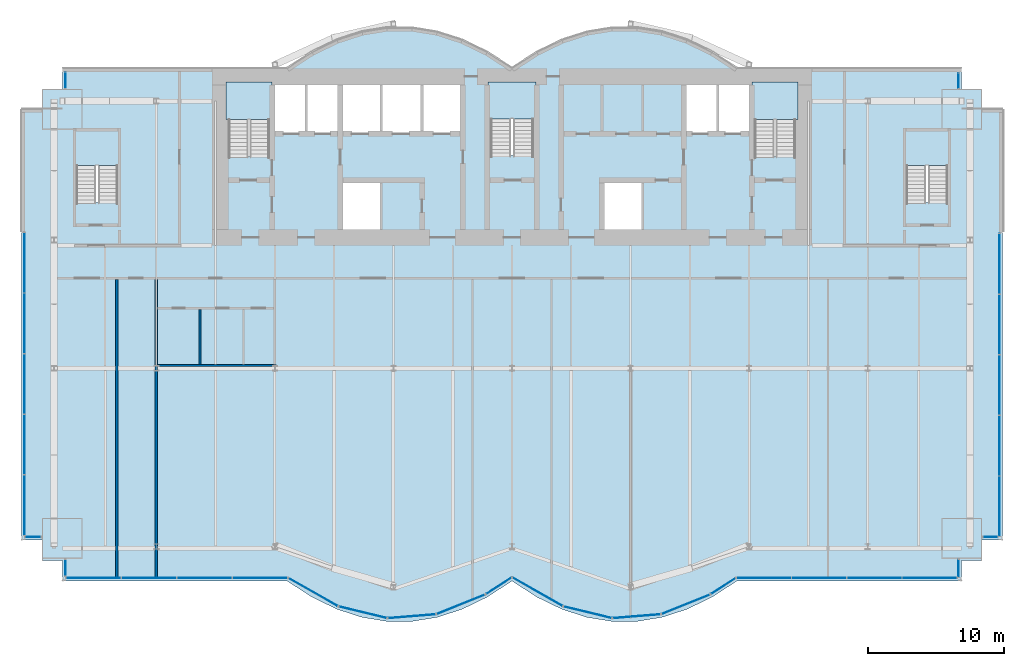
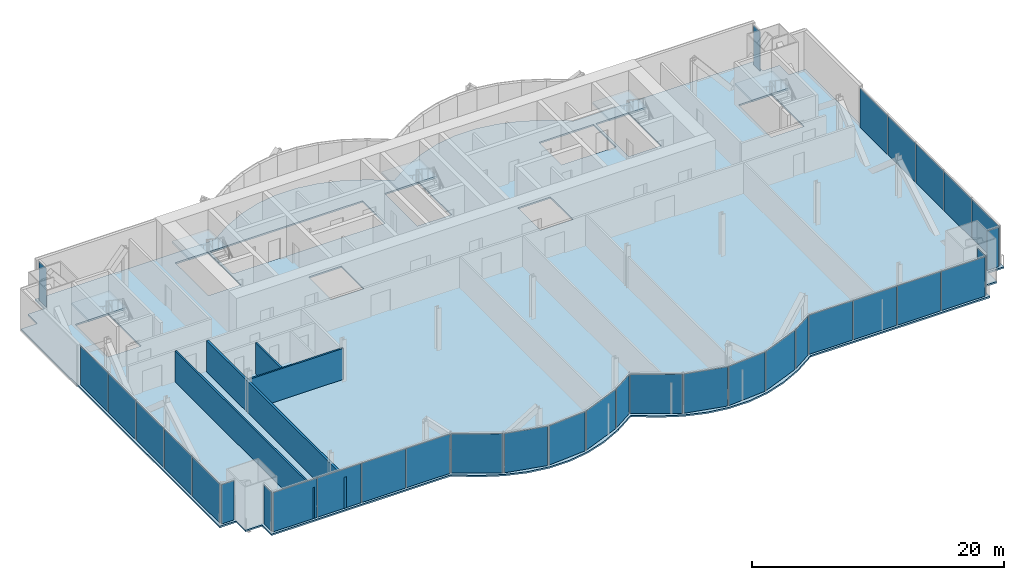
# One storey, part 14 of 21: 34 plates, 6 slabs, 4 walls, 17 elements without a shape of their own.
"""IFC4 building model written with IfcOpenShell, lengths in metres."""

from ifc_helpers import new_model, si_unit, direction, frame, frame_2d, origin, origin_2d, place, context, subcontext, project, spatial, polyline, rectangle, outline, extrude, material, layer, layer_set, type_object, element, aggregate, save


model = new_model("IFC4")

# Units and contexts
model_context = context("Model", 3, precision=1e-05, world=origin(), true_north=direction((0.0, 1.0)))
body_context = subcontext(model_context, "Body", "Model", "MODEL_VIEW")
ifc_project = project(units=[si_unit("LENGTHUNIT", "METRE"), si_unit("AREAUNIT", "SQUARE_METRE"), si_unit("VOLUMEUNIT", "CUBIC_METRE"), si_unit("PLANEANGLEUNIT", "RADIAN"), si_unit("MASSUNIT", "GRAM", prefix="KILO")], contexts=[model_context])

# Site, building, storey
site_placement = place(None, origin())
site = spatial("IfcSite", under=ifc_project, at=site_placement, CompositionType="ELEMENT")
building_placement = place(site_placement, origin())
building = spatial("IfcBuilding", under=site, at=building_placement, Name="Bicima Exchange Tower", CompositionType="ELEMENT")
storey_placement = place(building_placement, frame((0.0, 0.0, 114.5)))
storey = spatial("IfcBuildingStorey", under=building, at=storey_placement, Name="L24", CompositionType="ELEMENT", Elevation=114.5)

# Slab
ifc_material_1 = material(Name="Concrete C40/50", Category="concrete")
ifc_layer_1 = layer(ifc_material_1, 0.14990234375)
ifc_layer_set_1 = layer_set([ifc_layer_1], Name="Concrete C40/50")
slab_type_1 = type_object("IfcSlabType", Name="Composite floor slab 150", PredefinedType="FLOOR", material=ifc_layer_set_1)
slab_1_placement = place(storey_placement, frame((0.0, 0.0, -0.14990234375)))
element("IfcSlab", 1, at=slab_1_placement, inside=storey, type_object=slab_type_1, Name="Floor slab", PredefinedType="FLOOR", context=body_context, shape_type="SweptSolid", body=[
    extrude(outline(polyline([(-36.0, -34.60791015625), (-36.0, -3.0), (-34.5, -3.0), (-34.5, -1.5), (-33.0, -1.5), (-33.0, 0.0), (-16.5, 0.0), (-14.666748046875, 1.185302734375), (-12.833251953125, 2.07421875), (-11.0, 2.666748046875), (-9.166748046875, 2.962890625), (-7.333251953125, 2.962890625), (-5.5, 2.666748046875), (-3.666748046875, 2.07421875), (-1.833251953125, 1.185302734375), (0.0, 0.0), (1.833251953125, 1.185302734375), (3.666748046875, 2.07421875), (5.5, 2.666748046875), (7.333251953125, 2.962890625), (9.166748046875, 2.962890625), (11.0, 2.666748046875), (12.833251953125, 2.07421875), (14.666748046875, 1.185302734375), (16.5, 0.0), (33.0, 0.0), (33.0, -1.5), (34.5, -1.5), (34.5, -3.0), (36.0, -3.0), (36.0, -34.60791015625), (34.5, -34.60791015625), (34.5, -36.10791015625), (33.0, -36.10791015625), (33.0, -37.60791015625), (16.5, -37.60791015625), (14.666748046875, -38.793212890625), (12.833251953125, -39.68212890625), (11.0, -40.274658203125), (9.166748046875, -40.571044921875), (7.333251953125, -40.571044921875), (5.5, -40.274658203125), (3.666748046875, -39.68212890625), (1.833251953125, -38.793212890625), (0.0, -37.60791015625), (-1.833251953125, -38.793212890625), (-3.666748046875, -39.68212890625), (-5.5, -40.274658203125), (-7.333251953125, -40.571044921875), (-9.166748046875, -40.571044921875), (-11.0, -40.274658203125), (-12.833251953125, -39.68212890625), (-14.666748046875, -38.793212890625), (-16.5, -37.60791015625), (-33.0, -37.60791015625), (-33.0, -36.10791015625), (-34.5, -36.10791015625), (-34.5, -34.60791015625), (-36.0, -34.60791015625)]), holes=[polyline([(-9.60009765625, -11.800048828125), (-9.60009765625, -8.199951171875), (-12.60009765625, -8.199951171875), (-12.60009765625, -11.800048828125), (-9.60009765625, -11.800048828125)]), polyline([(-31.97509765625, -9.824951171875), (-28.925048828125, -9.824951171875), (-28.925048828125, -4.625), (-31.97509765625, -4.625), (-31.97509765625, -9.824951171875)]), polyline([(-20.800048828125, -6.449951171875), (-17.800048828125, -6.449951171875), (-17.800048828125, -1.199951171875), (-20.800048828125, -1.199951171875), (-20.800048828125, -6.449951171875)]), polyline([(-9.60009765625, -1.199951171875), (-12.60009765625, -1.199951171875), (-15.10009765625, -1.199951171875), (-17.60009765625, -1.199951171875), (-17.60009765625, -4.800048828125), (-15.10009765625, -4.800048828125), (-12.60009765625, -4.800048828125), (-9.60009765625, -4.800048828125), (-6.60009765625, -4.800048828125), (-3.60009765625, -4.800048828125), (-3.60009765625, -1.199951171875), (-6.60009765625, -1.199951171875), (-9.60009765625, -1.199951171875)]), polyline([(9.60009765625, -11.800048828125), (9.60009765625, -8.199951171875), (6.60009765625, -8.199951171875), (6.60009765625, -11.800048828125), (9.60009765625, -11.800048828125)]), polyline([(28.925048828125, -9.824951171875), (31.97509765625, -9.824951171875), (31.97509765625, -4.625), (28.925048828125, -4.625), (28.925048828125, -9.824951171875)]), polyline([(17.800048828125, -6.449951171875), (20.800048828125, -6.449951171875), (20.800048828125, -1.199951171875), (17.800048828125, -1.199951171875), (17.800048828125, -6.449951171875)]), polyline([(-1.574951171875, -6.39990234375), (1.574951171875, -6.39990234375), (1.574951171875, -1.199951171875), (-1.574951171875, -1.199951171875), (-1.574951171875, -6.39990234375)]), polyline([(17.60009765625, -4.800048828125), (17.60009765625, -1.199951171875), (15.10009765625, -1.199951171875), (12.60009765625, -1.199951171875), (12.60009765625, -4.800048828125), (15.10009765625, -4.800048828125), (17.60009765625, -4.800048828125)])]), origin(), (0.0, 0.0, 1.0), 0.14990234375),
])

# Curtain wall, plates
ifc_material_2 = material(Name="Anodised bronze aluminium", Category="aluminium")
curtain_wall_type_1 = type_object("IfcCurtainWallType", Name="End face glass wall", PredefinedType="NOTDEFINED", material=ifc_material_2)
curtain_wall_1_placement = place(storey_placement, origin())
curtain_wall_1 = element("IfcCurtainWall", 2, at=curtain_wall_1_placement, inside=storey, type_object=curtain_wall_type_1, Name="End face glass wall L24 run 2", PredefinedType="NOTDEFINED")
ifc_material_3 = material(Name="Bronze tinted glass", Category="glass")
ifc_layer_2 = layer(ifc_material_3, 0.031982421875)
ifc_layer_set_2 = layer_set([ifc_layer_2], Name="Bronze tinted glass")
plate_type_1 = type_object("IfcPlateType", Name="End face glass wall glass panel 32", PredefinedType="CURTAIN_PANEL", material=ifc_layer_set_2)
plate_1_placement = place(storey_placement, frame((-35.77001953125, -14.25390625, 0.0), z_axis=(0.0, 0.0, 1.0), x_axis=(0.0, -1.0, 0.0)))
plate_1 = element("IfcPlate", 3, at=plate_1_placement, type_object=plate_type_1, Name="End face glass wall panel 1.1", PredefinedType="CURTAIN_PANEL", context=body_context, shape_type="SweptSolid", body=[
    extrude(rectangle(XDim=4.3876953125, YDim=0.031982421875, at=origin_2d()), origin(), (0.0, 0.0, 1.0), 3.81005859375),
])
plate_2_placement = place(storey_placement, frame((-35.77001953125, -27.5966796875, 0.0), z_axis=(0.0, 0.0, 1.0), x_axis=(0.0, -1.0, 0.0)))
plate_2 = element("IfcPlate", 4, at=plate_2_placement, type_object=plate_type_1, Name="End face glass wall panel 4.1", PredefinedType="CURTAIN_PANEL", context=body_context, shape_type="SweptSolid", body=[
    extrude(rectangle(XDim=4.3876953125, YDim=0.031982421875, at=origin_2d()), origin(), (0.0, 0.0, 1.0), 3.81005859375),
])
plate_3_placement = place(storey_placement, frame((-35.77001953125, -32.044189453125, 0.0), z_axis=(0.0, 0.0, 1.0), x_axis=(0.0, -1.0, 0.0)))
plate_3 = element("IfcPlate", 5, at=plate_3_placement, type_object=plate_type_1, Name="End face glass wall panel 5.1", PredefinedType="CURTAIN_PANEL", context=body_context, shape_type="SweptSolid", body=[
    extrude(rectangle(XDim=4.3876953125, YDim=0.031982421875, at=origin_2d()), origin(), (0.0, 0.0, 1.0), 3.81005859375),
])

curtain_wall_2_placement = place(storey_placement, origin())
curtain_wall_2 = element("IfcCurtainWall", 6, at=curtain_wall_2_placement, inside=storey, type_object=curtain_wall_type_1, Name="End face glass wall L24 run 19", PredefinedType="NOTDEFINED")
plate_4_placement = place(storey_placement, frame((35.77001953125, -32.124267578125, 0.0), z_axis=(0.0, 0.0, 1.0), x_axis=(0.0, 1.0, 0.0)))
plate_4 = element("IfcPlate", 7, at=plate_4_placement, type_object=plate_type_1, Name="End face glass wall panel 1.1", PredefinedType="CURTAIN_PANEL", context=body_context, shape_type="SweptSolid", body=[
    extrude(rectangle(XDim=4.3876953125, YDim=0.031982421875, at=origin_2d()), origin(), (0.0, 0.0, 1.0), 3.81005859375),
])
plate_5_placement = place(storey_placement, frame((35.77001953125, -27.676513671875, 0.0), z_axis=(0.0, 0.0, 1.0), x_axis=(0.0, 1.0, 0.0)))
plate_5 = element("IfcPlate", 8, at=plate_5_placement, type_object=plate_type_1, Name="End face glass wall panel 2.1", PredefinedType="CURTAIN_PANEL", context=body_context, shape_type="SweptSolid", body=[
    extrude(rectangle(XDim=4.3876953125, YDim=0.031982421875, at=origin_2d()), origin(), (0.0, 0.0, 1.0), 3.81005859375),
])

# Plate
ifc_material_4 = material(Name="Bronze anodised aluminium", Category="aluminium")
ifc_layer_3 = layer(ifc_material_4, 0.031982421875)
ifc_layer_set_3 = layer_set([ifc_layer_3], Name="Bronze anodised aluminium")
plate_type_2 = type_object("IfcPlateType", Name="End face glass wall spandrel panel 32", PredefinedType="CURTAIN_PANEL", material=ifc_layer_set_3)
plate_6_placement = place(storey_placement, frame((-35.77001953125, -18.701416015625, 0.0), z_axis=(0.0, 0.0, 1.0), x_axis=(0.0, -1.0, 0.0)))
plate_6 = element("IfcPlate", 9, at=plate_6_placement, type_object=plate_type_2, Name="End face spandrel wall panel 2.1", PredefinedType="CURTAIN_PANEL", context=body_context, shape_type="SweptSolid", body=[
    extrude(rectangle(XDim=4.3876953125, YDim=0.031982421875, at=origin_2d()), origin(), (0.0, 0.0, 1.0), 3.81005859375),
])

plate_7_placement = place(storey_placement, frame((-35.77001953125, -23.14892578125, 0.0), z_axis=(0.0, 0.0, 1.0), x_axis=(0.0, -1.0, 0.0)))
plate_7 = element("IfcPlate", 10, at=plate_7_placement, type_object=plate_type_2, Name="End face spandrel wall panel 3.1", PredefinedType="CURTAIN_PANEL", context=body_context, shape_type="SweptSolid", body=[
    extrude(rectangle(XDim=4.3876953125, YDim=0.031982421875, at=origin_2d()), origin(), (0.0, 0.0, 1.0), 3.81005859375),
])

aggregate(curtain_wall_1, [plate_1, plate_6, plate_7, plate_2, plate_3])

plate_8_placement = place(storey_placement, frame((35.77001953125, -23.22900390625, 0.0), z_axis=(0.0, 0.0, 1.0), x_axis=(0.0, 1.0, 0.0)))
plate_8 = element("IfcPlate", 11, at=plate_8_placement, type_object=plate_type_2, Name="End face spandrel wall panel 3.1", PredefinedType="CURTAIN_PANEL", context=body_context, shape_type="SweptSolid", body=[
    extrude(rectangle(XDim=4.3876953125, YDim=0.031982421875, at=origin_2d()), origin(), (0.0, 0.0, 1.0), 3.81005859375),
])

plate_9_placement = place(storey_placement, frame((35.77001953125, -18.781494140625, 0.0), z_axis=(0.0, 0.0, 1.0), x_axis=(0.0, 1.0, 0.0)))
plate_9 = element("IfcPlate", 12, at=plate_9_placement, type_object=plate_type_2, Name="End face spandrel wall panel 4.1", PredefinedType="CURTAIN_PANEL", context=body_context, shape_type="SweptSolid", body=[
    extrude(rectangle(XDim=4.3876953125, YDim=0.031982421875, at=origin_2d()), origin(), (0.0, 0.0, 1.0), 3.81005859375),
])

plate_10_placement = place(storey_placement, frame((35.77001953125, -14.333740234375, 0.0), z_axis=(0.0, 0.0, 1.0), x_axis=(0.0, 1.0, 0.0)))
plate_10 = element("IfcPlate", 13, at=plate_10_placement, type_object=plate_type_2, Name="End face spandrel wall panel 5.1", PredefinedType="CURTAIN_PANEL", context=body_context, shape_type="SweptSolid", body=[
    extrude(rectangle(XDim=4.3876953125, YDim=0.031982421875, at=origin_2d()), origin(), (0.0, 0.0, 1.0), 3.81005859375),
])

aggregate(curtain_wall_2, [plate_4, plate_5, plate_8, plate_9, plate_10])

# Curtain wall, plate
curtain_wall_type_2 = type_object("IfcCurtainWallType", Name="Front glass wall", PredefinedType="NOTDEFINED", material=ifc_material_2)
curtain_wall_3_placement = place(storey_placement, origin())
curtain_wall_3 = element("IfcCurtainWall", 14, at=curtain_wall_3_placement, inside=storey, type_object=curtain_wall_type_2, Name="Front glass wall L24 run 1", PredefinedType="NOTDEFINED")
ifc_layer_4 = layer(ifc_material_3, 0.031982421875)
ifc_layer_set_4 = layer_set([ifc_layer_4], Name="Bronze tinted glass")
plate_type_3 = type_object("IfcPlateType", Name="Front glass wall glass panel 32", PredefinedType="CURTAIN_PANEL", material=ifc_layer_set_4)
plate_11_placement = place(storey_placement, frame((-32.77001953125, -0.864990234375, 0.0), z_axis=(0.0, 0.0, 1.0), x_axis=(0.0, -1.0, 0.0)))
plate_11 = element("IfcPlate", 15, at=plate_11_placement, type_object=plate_type_3, Name="Front glass wall panel 1.1", PredefinedType="CURTAIN_PANEL", context=body_context, shape_type="SweptSolid", body=[
    extrude(rectangle(XDim=1.14990234375, YDim=0.031982421875, at=origin_2d()), origin(), (0.0, 0.0, 1.0), 3.81005859375),
])
aggregate(curtain_wall_3, [plate_11])

curtain_wall_4_placement = place(storey_placement, origin())
curtain_wall_4 = element("IfcCurtainWall", 16, at=curtain_wall_4_placement, inside=storey, type_object=curtain_wall_type_2, Name="Front glass wall L24 run 3", PredefinedType="NOTDEFINED")
plate_12_placement = place(storey_placement, frame((-35.135009765625, -34.3779296875, 0.0), z_axis=(0.0, 0.0, 1.0), x_axis=(1.0, 0.0, 0.0)))
plate_12 = element("IfcPlate", 17, at=plate_12_placement, type_object=plate_type_3, Name="Front glass wall panel 1.1", PredefinedType="CURTAIN_PANEL", context=body_context, shape_type="SweptSolid", body=[
    extrude(rectangle(XDim=1.14990234375, YDim=0.031982421875, at=origin_2d()), origin(), (0.0, 0.0, 1.0), 3.81005859375),
])
aggregate(curtain_wall_4, [plate_12])

curtain_wall_5_placement = place(storey_placement, origin())
curtain_wall_5 = element("IfcCurtainWall", 18, at=curtain_wall_5_placement, inside=storey, type_object=curtain_wall_type_2, Name="Front glass wall L24 run 4", PredefinedType="NOTDEFINED")
plate_13_placement = place(storey_placement, frame((-32.77001953125, -36.64208984375, 0.0), z_axis=(0.0, 0.0, 1.0), x_axis=(0.0, -1.0, 0.0)))
plate_13 = element("IfcPlate", 19, at=plate_13_placement, type_object=plate_type_3, Name="Front glass wall panel 1.1", PredefinedType="CURTAIN_PANEL", context=body_context, shape_type="SweptSolid", body=[
    extrude(rectangle(XDim=1.19189453125, YDim=0.031982421875, at=origin_2d()), origin(), (0.0, 0.0, 1.0), 3.81005859375),
])
aggregate(curtain_wall_5, [plate_13])

# Curtain wall, plates
curtain_wall_6_placement = place(storey_placement, origin())
curtain_wall_6 = element("IfcCurtainWall", 20, at=curtain_wall_6_placement, inside=storey, type_object=curtain_wall_type_2, Name="Front glass wall L24 run 5", PredefinedType="NOTDEFINED")
plate_14_placement = place(storey_placement, frame((-30.705322265625, -37.3779296875, 0.0), z_axis=(0.0, 0.0, 1.0), x_axis=(1.0, 0.0, 0.0)))
plate_14 = element("IfcPlate", 21, at=plate_14_placement, type_object=plate_type_3, Name="Front glass wall panel 1.1", PredefinedType="CURTAIN_PANEL", context=body_context, shape_type="SweptSolid", body=[
    extrude(rectangle(XDim=4.009521484375, YDim=0.031982421875, at=origin_2d()), origin(), (0.0, 0.0, 1.0), 3.81005859375),
])
plate_15_placement = place(storey_placement, frame((-26.6357421875, -37.3779296875, 0.0), z_axis=(0.0, 0.0, 1.0), x_axis=(1.0, 0.0, 0.0)))
plate_15 = element("IfcPlate", 22, at=plate_15_placement, type_object=plate_type_3, Name="Front glass wall panel 2.1", PredefinedType="CURTAIN_PANEL", context=body_context, shape_type="SweptSolid", body=[
    extrude(rectangle(XDim=4.009521484375, YDim=0.031982421875, at=origin_2d()), origin(), (0.0, 0.0, 1.0), 3.81005859375),
])
plate_16_placement = place(storey_placement, frame((-22.56640625, -37.3779296875, 0.0), z_axis=(0.0, 0.0, 1.0), x_axis=(1.0, 0.0, 0.0)))
plate_16 = element("IfcPlate", 23, at=plate_16_placement, type_object=plate_type_3, Name="Front glass wall panel 3.1", PredefinedType="CURTAIN_PANEL", context=body_context, shape_type="SweptSolid", body=[
    extrude(rectangle(XDim=4.009521484375, YDim=0.031982421875, at=origin_2d()), origin(), (0.0, 0.0, 1.0), 3.81005859375),
])

curtain_wall_7_placement = place(storey_placement, origin())
curtain_wall_7 = element("IfcCurtainWall", 24, at=curtain_wall_7_placement, inside=storey, type_object=curtain_wall_type_2, Name="Front glass wall L24 run 6", PredefinedType="NOTDEFINED")
plate_17_placement = place(storey_placement, frame((-10.94775390625, -39.904541015625, 0.0), z_axis=(0.0, 0.0, 1.0), x_axis=(0.971830343553, -0.235681529503, 0.0)))
plate_17 = element("IfcPlate", 25, at=plate_17_placement, type_object=plate_type_3, Name="Front glass wall panel 1.1", PredefinedType="CURTAIN_PANEL", context=body_context, shape_type="SweptSolid", body=[
    extrude(rectangle(XDim=3.583251953125, YDim=0.031982421875, at=origin_2d()), origin(), (0.0, 0.0, 1.0), 3.81005859375),
])
plate_18_placement = place(storey_placement, frame((-7.35107421875, -40.19580078125, 0.0), z_axis=(0.0, 0.0, 1.0), x_axis=(0.99674744821, 0.080588612633, 0.0)))
plate_18 = element("IfcPlate", 26, at=plate_18_placement, type_object=plate_type_3, Name="Front glass wall panel 1.1", PredefinedType="CURTAIN_PANEL", context=body_context, shape_type="SweptSolid", body=[
    extrude(rectangle(XDim=3.486083984375, YDim=0.031982421875, at=origin_2d()), origin(), (0.0, 0.0, 1.0), 3.81005859375),
])
plate_19_placement = place(storey_placement, frame((-3.750244140625, -39.3212890625, 0.0), z_axis=(0.0, 0.0, 1.0), x_axis=(0.92714396679, 0.374705304, 0.0)))
plate_19 = element("IfcPlate", 27, at=plate_19_placement, type_object=plate_type_3, Name="Front glass wall panel 1.1", PredefinedType="CURTAIN_PANEL", context=body_context, shape_type="SweptSolid", body=[
    extrude(rectangle(XDim=3.771240234375, YDim=0.031982421875, at=origin_2d()), origin(), (0.0, 0.0, 1.0), 3.81005859375),
])
plate_20_placement = place(storey_placement, frame((-0.97314453125, -37.963134765625, 0.0), z_axis=(0.0, 0.0, 1.0), x_axis=(0.839798994301, 0.542897457326, 0.0)))
plate_20 = element("IfcPlate", 28, at=plate_20_placement, type_object=plate_type_3, Name="Front glass wall panel 1.1", PredefinedType="CURTAIN_PANEL", context=body_context, shape_type="SweptSolid", body=[
    extrude(rectangle(XDim=2.197509765625, YDim=0.031982421875, at=origin_2d()), origin(), (0.0, 0.0, 1.0), 3.81005859375),
])

curtain_wall_8_placement = place(storey_placement, origin())
curtain_wall_8 = element("IfcCurtainWall", 29, at=curtain_wall_8_placement, inside=storey, type_object=curtain_wall_type_2, Name="Front glass wall L24 run 11", PredefinedType="NOTDEFINED")
plate_21_placement = place(storey_placement, frame((1.876220703125, -38.401123046875, 0.0), z_axis=(0.0, 0.0, 1.0), x_axis=(0.869274147378, -0.494330311331, 0.0)))
plate_21 = element("IfcPlate", 30, at=plate_21_placement, type_object=plate_type_3, Name="Front glass wall panel 1.1", PredefinedType="CURTAIN_PANEL", context=body_context, shape_type="SweptSolid", body=[
    extrude(rectangle(XDim=4.197021484375, YDim=0.031982421875, at=origin_2d()), origin(), (0.0, 0.0, 1.0), 3.81005859375),
])
plate_22_placement = place(storey_placement, frame((5.55224609375, -39.904541015625, 0.0), z_axis=(0.0, 0.0, 1.0), x_axis=(0.971830343553, -0.235681529503, 0.0)))
plate_22 = element("IfcPlate", 31, at=plate_22_placement, type_object=plate_type_3, Name="Front glass wall panel 1.1", PredefinedType="CURTAIN_PANEL", context=body_context, shape_type="SweptSolid", body=[
    extrude(rectangle(XDim=3.583251953125, YDim=0.031982421875, at=origin_2d()), origin(), (0.0, 0.0, 1.0), 3.81005859375),
])
plate_23_placement = place(storey_placement, frame((9.14892578125, -40.19580078125, 0.0), z_axis=(0.0, 0.0, 1.0), x_axis=(0.99674744821, 0.080588612633, 0.0)))
plate_23 = element("IfcPlate", 32, at=plate_23_placement, type_object=plate_type_3, Name="Front glass wall panel 1.1", PredefinedType="CURTAIN_PANEL", context=body_context, shape_type="SweptSolid", body=[
    extrude(rectangle(XDim=3.486083984375, YDim=0.031982421875, at=origin_2d()), origin(), (0.0, 0.0, 1.0), 3.81005859375),
])
plate_24_placement = place(storey_placement, frame((15.492919921875, -37.985107421875, 0.0), z_axis=(0.0, 0.0, 1.0), x_axis=(0.839791413941, 0.542909183079, 0.0)))
plate_24 = element("IfcPlate", 33, at=plate_24_placement, type_object=plate_type_3, Name="Front glass wall panel 1.1", PredefinedType="CURTAIN_PANEL", context=body_context, shape_type="SweptSolid", body=[
    extrude(rectangle(XDim=2.11669921875, YDim=0.031982421875, at=origin_2d()), origin(), (0.0, 0.0, 1.0), 3.81005859375),
])

curtain_wall_9_placement = place(storey_placement, origin())
curtain_wall_9 = element("IfcCurtainWall", 34, at=curtain_wall_9_placement, inside=storey, type_object=curtain_wall_type_2, Name="Front glass wall L24 run 16", PredefinedType="NOTDEFINED")
plate_25_placement = place(storey_placement, frame((22.536376953125, -37.3779296875, 0.0), z_axis=(0.0, 0.0, 1.0), x_axis=(1.0, 0.0, 0.0)))
plate_25 = element("IfcPlate", 35, at=plate_25_placement, type_object=plate_type_3, Name="Front glass wall panel 2.1", PredefinedType="CURTAIN_PANEL", context=body_context, shape_type="SweptSolid", body=[
    extrude(rectangle(XDim=3.989501953125, YDim=0.031982421875, at=origin_2d()), origin(), (0.0, 0.0, 1.0), 3.81005859375),
])
plate_26_placement = place(storey_placement, frame((26.585693359375, -37.3779296875, 0.0), z_axis=(0.0, 0.0, 1.0), x_axis=(1.0, 0.0, 0.0)))
plate_26 = element("IfcPlate", 36, at=plate_26_placement, type_object=plate_type_3, Name="Front glass wall panel 3.1", PredefinedType="CURTAIN_PANEL", context=body_context, shape_type="SweptSolid", body=[
    extrude(rectangle(XDim=3.989501953125, YDim=0.031982421875, at=origin_2d()), origin(), (0.0, 0.0, 1.0), 3.81005859375),
])
plate_27_placement = place(storey_placement, frame((30.63525390625, -37.3779296875, 0.0), z_axis=(0.0, 0.0, 1.0), x_axis=(1.0, 0.0, 0.0)))
plate_27 = element("IfcPlate", 37, at=plate_27_placement, type_object=plate_type_3, Name="Front glass wall panel 4.1", PredefinedType="CURTAIN_PANEL", context=body_context, shape_type="SweptSolid", body=[
    extrude(rectangle(XDim=3.989501953125, YDim=0.031982421875, at=origin_2d()), origin(), (0.0, 0.0, 1.0), 3.81005859375),
])

# Curtain wall, plate
curtain_wall_10_placement = place(storey_placement, origin())
curtain_wall_10 = element("IfcCurtainWall", 38, at=curtain_wall_10_placement, inside=storey, type_object=curtain_wall_type_2, Name="Front glass wall L24 run 17", PredefinedType="NOTDEFINED")
plate_28_placement = place(storey_placement, frame((32.77001953125, -36.681884765625, 0.0), z_axis=(0.0, 0.0, 1.0), x_axis=(0.0, 1.0, 0.0)))
plate_28 = element("IfcPlate", 39, at=plate_28_placement, type_object=plate_type_3, Name="Front glass wall panel 1.1", PredefinedType="CURTAIN_PANEL", context=body_context, shape_type="SweptSolid", body=[
    extrude(rectangle(XDim=1.27197265625, YDim=0.031982421875, at=origin_2d()), origin(), (0.0, 0.0, 1.0), 3.81005859375),
])
aggregate(curtain_wall_10, [plate_28])

curtain_wall_11_placement = place(storey_placement, origin())
curtain_wall_11 = element("IfcCurtainWall", 40, at=curtain_wall_11_placement, inside=storey, type_object=curtain_wall_type_2, Name="Front glass wall L24 run 18", PredefinedType="NOTDEFINED")
plate_29_placement = place(storey_placement, frame((35.094970703125, -34.3779296875, 0.0), z_axis=(0.0, 0.0, 1.0), x_axis=(1.0, 0.0, 0.0)))
plate_29 = element("IfcPlate", 41, at=plate_29_placement, type_object=plate_type_3, Name="Front glass wall panel 1.1", PredefinedType="CURTAIN_PANEL", context=body_context, shape_type="SweptSolid", body=[
    extrude(rectangle(XDim=1.070068359375, YDim=0.031982421875, at=origin_2d()), origin(), (0.0, 0.0, 1.0), 3.81005859375),
])
aggregate(curtain_wall_11, [plate_29])

curtain_wall_12_placement = place(storey_placement, origin())
curtain_wall_12 = element("IfcCurtainWall", 42, at=curtain_wall_12_placement, inside=storey, type_object=curtain_wall_type_2, Name="Front glass wall L24 run 20", PredefinedType="NOTDEFINED")
plate_30_placement = place(storey_placement, frame((32.77001953125, -0.905029296875, 0.0), z_axis=(0.0, 0.0, 1.0), x_axis=(0.0, 1.0, 0.0)))
plate_30 = element("IfcPlate", 43, at=plate_30_placement, type_object=plate_type_3, Name="Front glass wall panel 1.1", PredefinedType="CURTAIN_PANEL", context=body_context, shape_type="SweptSolid", body=[
    extrude(rectangle(XDim=1.070068359375, YDim=0.031982421875, at=origin_2d()), origin(), (0.0, 0.0, 1.0), 3.81005859375),
])
aggregate(curtain_wall_12, [plate_30])

# Plate
ifc_layer_5 = layer(ifc_material_4, 0.031982421875)
ifc_layer_set_5 = layer_set([ifc_layer_5], Name="Bronze anodised aluminium")
plate_type_4 = type_object("IfcPlateType", Name="Front glass wall spandrel panel 32", PredefinedType="CURTAIN_PANEL", material=ifc_layer_set_5)
plate_31_placement = place(storey_placement, frame((-18.496826171875, -37.3779296875, 0.0), z_axis=(0.0, 0.0, 1.0), x_axis=(1.0, 0.0, 0.0)))
plate_31 = element("IfcPlate", 44, at=plate_31_placement, type_object=plate_type_4, Name="Front spandrel wall panel 4.1", PredefinedType="CURTAIN_PANEL", context=body_context, shape_type="SweptSolid", body=[
    extrude(rectangle(XDim=4.009521484375, YDim=0.031982421875, at=origin_2d()), origin(), (0.0, 0.0, 1.0), 3.81005859375),
])

aggregate(curtain_wall_6, [plate_14, plate_15, plate_16, plate_31])

plate_32_placement = place(storey_placement, frame((-14.589599609375, -38.423095703125, 0.0), z_axis=(0.0, 0.0, 1.0), x_axis=(0.869805110681, -0.493395449343, 0.0)))
plate_32 = element("IfcPlate", 45, at=plate_32_placement, type_object=plate_type_4, Name="Front spandrel wall panel 1.1", PredefinedType="CURTAIN_PANEL", context=body_context, shape_type="SweptSolid", body=[
    extrude(rectangle(XDim=4.1162109375, YDim=0.031982421875, at=origin_2d()), origin(), (0.0, 0.0, 1.0), 3.81005859375),
])

aggregate(curtain_wall_7, [plate_32, plate_17, plate_18, plate_19, plate_20])

plate_33_placement = place(storey_placement, frame((12.749755859375, -39.3212890625, 0.0), z_axis=(0.0, 0.0, 1.0), x_axis=(0.92714396679, 0.374705304, 0.0)))
plate_33 = element("IfcPlate", 46, at=plate_33_placement, type_object=plate_type_4, Name="Front spandrel wall panel 1.1", PredefinedType="CURTAIN_PANEL", context=body_context, shape_type="SweptSolid", body=[
    extrude(rectangle(XDim=3.771240234375, YDim=0.031982421875, at=origin_2d()), origin(), (0.0, 0.0, 1.0), 3.81005859375),
])

aggregate(curtain_wall_8, [plate_21, plate_22, plate_23, plate_33, plate_24])

plate_34_placement = place(storey_placement, frame((18.48681640625, -37.3779296875, 0.0), z_axis=(0.0, 0.0, 1.0), x_axis=(1.0, 0.0, 0.0)))
plate_34 = element("IfcPlate", 47, at=plate_34_placement, type_object=plate_type_4, Name="Front spandrel wall panel 1.1", PredefinedType="CURTAIN_PANEL", context=body_context, shape_type="SweptSolid", body=[
    extrude(rectangle(XDim=3.989501953125, YDim=0.031982421875, at=origin_2d()), origin(), (0.0, 0.0, 1.0), 3.81005859375),
])

aggregate(curtain_wall_9, [plate_34, plate_25, plate_26, plate_27])

# Stair, slab
ifc_material_5 = material(Name="Concrete C50/60", Category="concrete")
stair_type_1 = type_object("IfcStairType", Name="Exit stair", PredefinedType="HALF_TURN_STAIR", material=ifc_material_5)
stair_1_placement = place(storey_placement, origin())
stair_1 = element("IfcStair", 48, at=stair_1_placement, inside=storey, type_object=stair_type_1, Name="L24 West exit stair", PredefinedType="HALF_TURN_STAIR")
ifc_layer_6 = layer(ifc_material_5, 0.199951171875)
ifc_layer_set_6 = layer_set([ifc_layer_6], Name="Concrete C50/60")
slab_type_2 = type_object("IfcSlabType", Name="Stair landing slab", PredefinedType="LANDING", material=ifc_layer_set_6)
slab_2_placement = place(storey_placement, frame((0.0, 0.0, 1.85009765625)))
slab_2 = element("IfcSlab", 49, at=slab_2_placement, type_object=slab_type_2, Name="ST-W landing 1", PredefinedType="LANDING", context=body_context, shape_type="SweptSolid", body=[
    extrude(outline(polyline([(-17.60009765625, -3.75), (-17.60009765625, -1.0), (-21.0, -1.0), (-21.0, -3.75), (-17.60009765625, -3.75)])), origin(), (0.0, 0.0, 1.0), 0.199951171875),
])
aggregate(stair_1, [slab_2])

stair_type_2 = type_object("IfcStairType", Name="Exit stair 1500", PredefinedType="HALF_TURN_STAIR", material=ifc_material_5)
stair_2_placement = place(storey_placement, origin())
stair_2 = element("IfcStair", 50, at=stair_2_placement, inside=storey, type_object=stair_type_2, Name="L24 Central exit stair", PredefinedType="HALF_TURN_STAIR")
slab_3_placement = place(storey_placement, frame((0.0, 0.0, 1.85009765625)))
slab_3 = element("IfcSlab", 51, at=slab_3_placement, type_object=slab_type_2, Name="ST-C landing 1", PredefinedType="LANDING", context=body_context, shape_type="SweptSolid", body=[
    extrude(outline(polyline([(1.77490234375, -3.699951171875), (1.77490234375, -1.0), (-1.77490234375, -1.0), (-1.77490234375, -3.699951171875), (1.77490234375, -3.699951171875)])), origin(), (0.0, 0.0, 1.0), 0.199951171875),
])
aggregate(stair_2, [slab_3])

stair_3_placement = place(storey_placement, origin())
stair_3 = element("IfcStair", 52, at=stair_3_placement, inside=storey, type_object=stair_type_1, Name="L24 East exit stair", PredefinedType="HALF_TURN_STAIR")
slab_4_placement = place(storey_placement, frame((0.0, 0.0, 1.85009765625)))
slab_4 = element("IfcSlab", 53, at=slab_4_placement, type_object=slab_type_2, Name="ST-E landing 1", PredefinedType="LANDING", context=body_context, shape_type="SweptSolid", body=[
    extrude(outline(polyline([(21.0, -3.75), (21.0, -1.0), (17.60009765625, -1.0), (17.60009765625, -3.75), (21.0, -3.75)])), origin(), (0.0, 0.0, 1.0), 0.199951171875),
])
aggregate(stair_3, [slab_4])

stair_4_placement = place(storey_placement, origin())
stair_4 = element("IfcStair", 54, at=stair_4_placement, inside=storey, type_object=stair_type_1, Name="L24 West end exit stair", PredefinedType="HALF_TURN_STAIR")
slab_5_placement = place(storey_placement, frame((0.0, 0.0, 1.85009765625)))
slab_5 = element("IfcSlab", 55, at=slab_5_placement, type_object=slab_type_2, Name="ST-WW landing 1", PredefinedType="LANDING", context=body_context, shape_type="SweptSolid", body=[
    extrude(outline(polyline([(-28.72509765625, -7.125), (-28.72509765625, -4.425048828125), (-32.175048828125, -4.425048828125), (-32.175048828125, -7.125), (-28.72509765625, -7.125)])), origin(), (0.0, 0.0, 1.0), 0.199951171875),
])
aggregate(stair_4, [slab_5])

stair_5_placement = place(storey_placement, origin())
stair_5 = element("IfcStair", 56, at=stair_5_placement, inside=storey, type_object=stair_type_1, Name="L24 East end exit stair", PredefinedType="HALF_TURN_STAIR")
slab_6_placement = place(storey_placement, frame((0.0, 0.0, 1.85009765625)))
slab_6 = element("IfcSlab", 57, at=slab_6_placement, type_object=slab_type_2, Name="ST-EE landing 1", PredefinedType="LANDING", context=body_context, shape_type="SweptSolid", body=[
    extrude(outline(polyline([(32.175048828125, -7.125), (32.175048828125, -4.425048828125), (28.72509765625, -4.425048828125), (28.72509765625, -7.125), (32.175048828125, -7.125)])), origin(), (0.0, 0.0, 1.0), 0.199951171875),
])
aggregate(stair_5, [slab_6])

# Walls
ifc_material_6 = material(Name="Gypsum board partition")
ifc_layer_7 = layer(ifc_material_6, 0.199951171875)
ifc_layer_set_7 = layer_set([ifc_layer_7], Name="Gypsum board partition")
wall_type_1 = type_object("IfcWallType", Name="Fire-rated gypsum partition 200 EI60", PredefinedType="PARTITIONING", material=ifc_layer_set_7)
wall_1_placement = place(storey_placement, frame((-26.10009765625, -37.39990234375, 0.0), z_axis=(0.0, 0.0, 1.0), x_axis=(0.0, 1.0, 0.0)))
element("IfcWall", 58, at=wall_1_placement, inside=storey, type_object=wall_type_1, Name="partition wall 15", PredefinedType="PARTITIONING", context=body_context, shape_type="SweptSolid", body=[
    extrude(rectangle(XDim=21.89990234375, YDim=0.199951171875, at=frame_2d((10.949951171875, 0.0))), origin(), (0.0, 0.0, 1.0), 3.018310546875),
])
ifc_layer_8 = layer(ifc_material_6, 0.14990234375)
ifc_layer_set_8 = layer_set([ifc_layer_8], Name="Gypsum board partition")
wall_type_2 = type_object("IfcWallType", Name="Gypsum partition 150", PredefinedType="PARTITIONING", material=ifc_layer_set_8)
wall_2_placement = place(storey_placement, frame((-26.0, -21.800048828125, 0.0), z_axis=(0.0, 0.0, 1.0), x_axis=(1.0, 0.0, 0.0)))
element("IfcWall", 59, at=wall_2_placement, inside=storey, type_object=wall_type_2, Name="partition wall 1", PredefinedType="PARTITIONING", context=body_context, shape_type="SweptSolid", body=[
    extrude(rectangle(XDim=8.699951171875, YDim=0.14990234375, at=frame_2d((4.35009765625, 0.0))), origin(), (0.0, 0.0, 1.0), 3.018310546875),
])
wall_3_placement = place(storey_placement, frame((-29.0, -37.39990234375, 0.0), z_axis=(0.0, 0.0, 1.0), x_axis=(0.0, 1.0, 0.0)))
element("IfcWall", 60, at=wall_3_placement, inside=storey, type_object=wall_type_2, Name="partition wall 13", PredefinedType="PARTITIONING", context=body_context, shape_type="SweptSolid", body=[
    extrude(rectangle(XDim=21.89990234375, YDim=0.14990234375, at=frame_2d((10.949951171875, 0.0))), origin(), (0.0, 0.0, 1.0), 3.018310546875),
])
wall_4_placement = place(storey_placement, frame((-22.89990234375, -21.72509765625, 0.0), z_axis=(0.0, 0.0, 1.0), x_axis=(0.0, 1.0, 0.0)))
element("IfcWall", 61, at=wall_4_placement, inside=storey, type_object=wall_type_2, Name="partition wall 17", PredefinedType="PARTITIONING", context=body_context, shape_type="SweptSolid", body=[
    extrude(rectangle(XDim=4.025146484375, YDim=0.14990234375, at=frame_2d((2.0126953125, 0.0))), origin(), (0.0, 0.0, 1.0), 3.018310546875),
])

save(model, "model.ifc")
